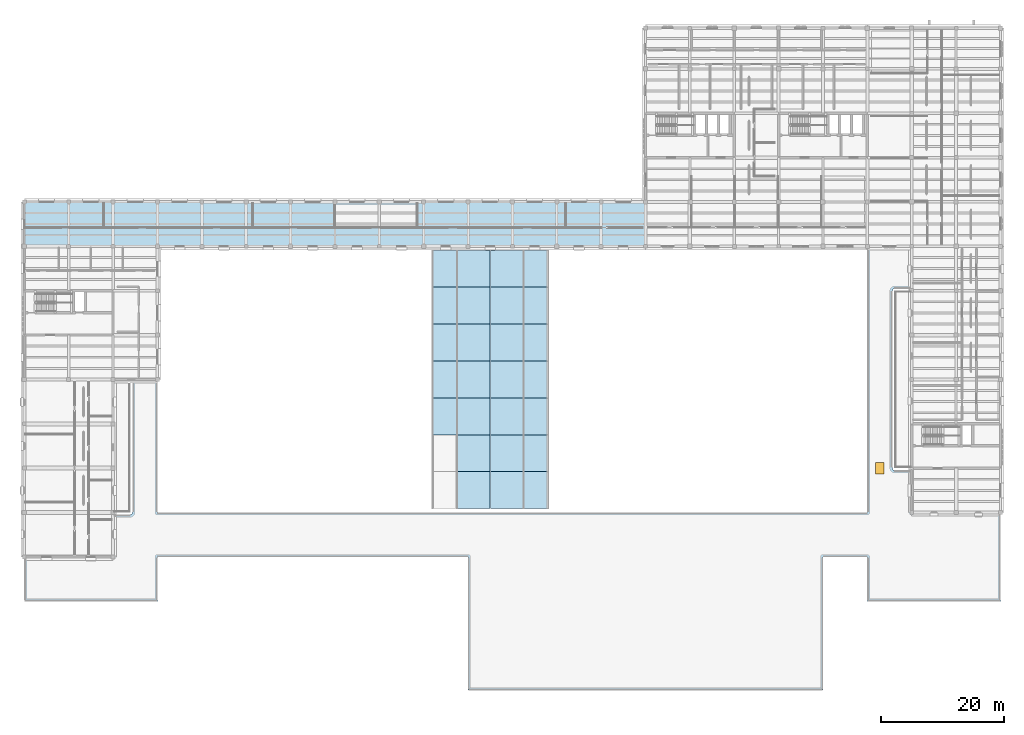
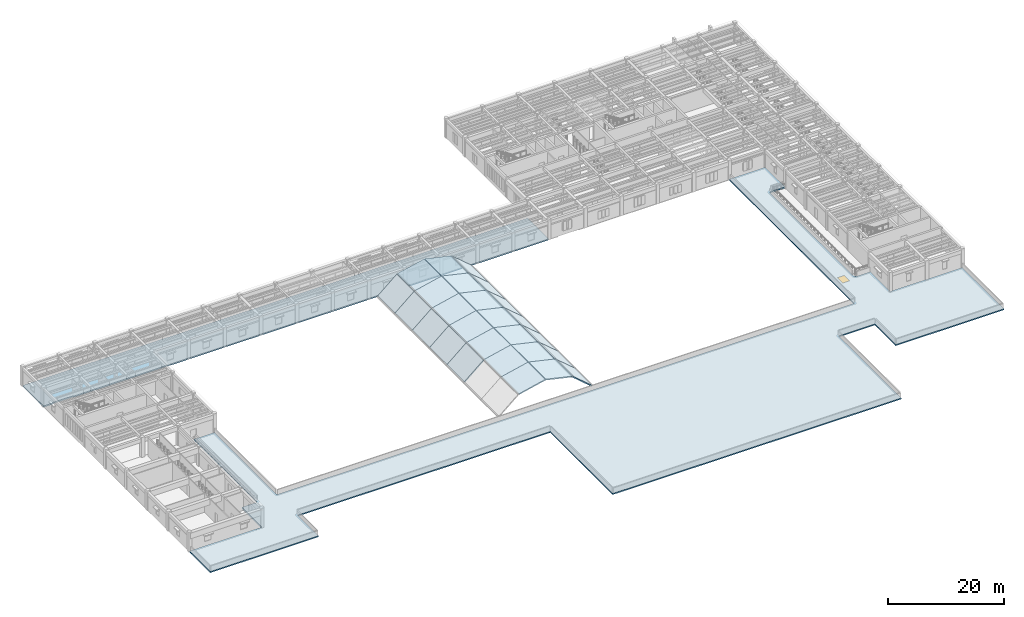
# One storey, part 14 of 40: 28 slabs, 1 window, 1 opening.
"""IFC4 building model written with IfcOpenShell, lengths in metres."""

from ifc_helpers import new_model, si_unit, direction, frame, origin, origin_2d, place, context, subcontext, project, spatial, polyline, rectangle, outline, extrude, material, layer, layer_set, type_object, element, fill, save


model = new_model("IFC4")

# Units and contexts
model_context = context("Model", 3, precision=1e-05, world=origin(), true_north=direction((0.0, 1.0)))
body_context = subcontext(model_context, "Body", "Model", "MODEL_VIEW")
ifc_project = project(units=[si_unit("LENGTHUNIT", "METRE"), si_unit("AREAUNIT", "SQUARE_METRE"), si_unit("VOLUMEUNIT", "CUBIC_METRE"), si_unit("PLANEANGLEUNIT", "RADIAN"), si_unit("MASSUNIT", "GRAM", prefix="KILO")], contexts=[model_context])

# Site, building, storey
site_placement = place(None, origin())
site = spatial("IfcSite", under=ifc_project, at=site_placement, CompositionType="ELEMENT")
building_placement = place(site_placement, origin())
building = spatial("IfcBuilding", under=site, at=building_placement, Name="Mithqara Police Headquarters", CompositionType="ELEMENT")
storey_placement = place(building_placement, frame((0.0, 0.0, 13.800048828125)))
storey = spatial("IfcBuildingStorey", under=building, at=storey_placement, Name="L03", CompositionType="ELEMENT", Elevation=13.800048828125)

# Slab
ifc_material_1 = material(Name="Concrete C40/50", Category="concrete")
ifc_layer_1 = layer(ifc_material_1, 0.260009765625, Name="Concrete C40/50")
ifc_layer_set_1 = layer_set([ifc_layer_1], Name="Concrete C40/50")
slab_type_1 = type_object("IfcSlabType", Name="FLOOR SLAB 260", PredefinedType="FLOOR", material=ifc_layer_set_1)
slab_1_placement = place(storey_placement, frame((0.0, 0.0, -0.260009765625)))
element("IfcSlab", 1, at=slab_1_placement, inside=storey, type_object=slab_type_1, Name="L03 Structural Slab L03-V5N", PredefinedType="FLOOR", context=body_context, shape_type="SweptSolid", body=[
    extrude(outline(polyline([(13.800048828125, 78.60009765625), (13.800048828125, 78.739990234375), (9.60009765625, 78.739990234375), (9.60009765625, 78.60009765625), (7.800048828125, 78.60009765625), (7.800048828125, 85.800048828125), (108.60009765625, 85.800048828125), (108.60009765625, 78.60009765625), (13.800048828125, 78.60009765625)])), origin(), (0.0, 0.0, 1.0), 0.260009765625),
])

# Slab, opening, window
ifc_layer_2 = layer(ifc_material_1, 0.25, Name="Concrete C40/50")
ifc_layer_set_2 = layer_set([ifc_layer_2], Name="Concrete C40/50")
slab_type_2 = type_object("IfcSlabType", Name="ROOF SLAB 250", PredefinedType="ROOF", material=ifc_layer_set_2)
slab_2_placement = place(storey_placement, frame((0.0, 0.0, -0.25)))
slab_2 = element("IfcSlab", 2, at=slab_2_placement, inside=storey, type_object=slab_type_2, Name="L03 Flat Insulated Roof over L02 Wing 1", PredefinedType="ROOF", context=body_context, shape_type="SweptSolid", body=[
    extrude(outline(polyline([(29.39990234375, 28.199951171875), (29.39990234375, 21.0), (7.800048828125, 21.0), (7.800048828125, 28.179931640625), (9.60009765625, 28.179931640625), (9.60205078125, 28.18017578125), (9.60400390625, 28.180419921875), (9.605712890625, 28.180908203125), (9.607666015625, 28.181396484375), (9.609375, 28.182373046875), (9.611083984375, 28.183349609375), (9.61279296875, 28.1845703125), (9.614013671875, 28.185791015625), (9.615478515625, 28.187255859375), (9.61669921875, 28.18896484375), (9.61767578125, 28.190673828125), (9.618408203125, 28.1923828125), (9.619140625, 28.194091796875), (9.61962890625, 28.196044921875), (9.619873046875, 28.197998046875), (9.6201171875, 28.199951171875), (13.780029296875, 28.199951171875), (13.780029296875, 28.197998046875), (13.780517578125, 28.196044921875), (13.781005859375, 28.194091796875), (13.781494140625, 28.1923828125), (13.782470703125, 28.190673828125), (13.783447265625, 28.18896484375), (13.784423828125, 28.187255859375), (13.785888671875, 28.185791015625), (13.787353515625, 28.1845703125), (13.788818359375, 28.183349609375), (13.79052734375, 28.182373046875), (13.792236328125, 28.181396484375), (13.794189453125, 28.180908203125), (13.796142578125, 28.180419921875), (13.798095703125, 28.18017578125), (13.800048828125, 28.179931640625), (22.199951171875, 28.179931640625), (22.201904296875, 28.18017578125), (22.203857421875, 28.180419921875), (22.205810546875, 28.180908203125), (22.207763671875, 28.181396484375), (22.20947265625, 28.182373046875), (22.211181640625, 28.183349609375), (22.212646484375, 28.1845703125), (22.214111328125, 28.185791015625), (22.215576171875, 28.187255859375), (22.216552734375, 28.18896484375), (22.217529296875, 28.190673828125), (22.218505859375, 28.1923828125), (22.218994140625, 28.194091796875), (22.219482421875, 28.196044921875), (22.219970703125, 28.197998046875), (22.219970703125, 28.199951171875), (22.219970703125, 35.050048828125), (25.0, 35.050048828125), (25.0341796875, 35.0517578125), (25.068359375, 35.056640625), (25.1015625, 35.065185546875), (25.1337890625, 35.07666015625), (25.1650390625, 35.09130859375), (25.1943359375, 35.10888671875), (25.221923828125, 35.12939453125), (25.24755859375, 35.152587890625), (25.2705078125, 35.177978515625), (25.291015625, 35.20556640625), (25.30859375, 35.235107421875), (25.323486328125, 35.26611328125), (25.3349609375, 35.29833984375), (25.34326171875, 35.331787109375), (25.348388671875, 35.36572265625), (25.35009765625, 35.39990234375), (25.35009765625, 56.97998046875), (29.39990234375, 56.97998046875), (29.39990234375, 35.39990234375), (144.60009765625, 35.39990234375), (144.60009765625, 78.580078125), (146.39990234375, 78.580078125), (146.402099609375, 78.580078125), (146.40380859375, 78.580322265625), (146.40576171875, 78.580810546875), (146.40771484375, 78.58154296875), (146.409423828125, 78.58251953125), (146.4111328125, 78.58349609375), (146.41259765625, 78.58447265625), (146.4140625, 78.5859375), (146.41552734375, 78.58740234375), (146.41650390625, 78.5888671875), (146.41748046875, 78.590576171875), (146.41845703125, 78.59228515625), (146.419189453125, 78.59423828125), (146.419677734375, 78.59619140625), (146.419921875, 78.597900390625), (146.419921875, 78.60009765625), (150.580078125, 78.60009765625), (150.580078125, 78.597900390625), (150.580322265625, 78.59619140625), (150.580810546875, 78.59423828125), (150.58154296875, 78.59228515625), (150.58251953125, 78.590576171875), (150.58349609375, 78.5888671875), (150.58447265625, 78.58740234375), (150.5859375, 78.5859375), (150.58740234375, 78.58447265625), (150.5888671875, 78.58349609375), (150.590576171875, 78.58251953125), (150.59228515625, 78.58154296875), (150.59423828125, 78.580810546875), (150.59619140625, 78.580322265625), (150.597900390625, 78.580078125), (150.60009765625, 78.580078125), (151.780029296875, 78.580078125), (151.780029296875, 71.75), (149.0, 71.75), (148.9658203125, 71.748291015625), (148.931640625, 71.743408203125), (148.8984375, 71.73486328125), (148.8662109375, 71.723388671875), (148.8349609375, 71.708740234375), (148.8056640625, 71.69091796875), (148.778076171875, 71.670654296875), (148.75244140625, 71.6474609375), (148.7294921875, 71.6220703125), (148.708984375, 71.594482421875), (148.69140625, 71.56494140625), (148.676513671875, 71.533935546875), (148.6650390625, 71.501708984375), (148.65673828125, 71.46826171875), (148.651611328125, 71.434326171875), (148.64990234375, 71.39990234375), (148.64990234375, 42.60009765625), (148.651611328125, 42.565673828125), (148.65673828125, 42.53173828125), (148.6650390625, 42.498291015625), (148.676513671875, 42.466064453125), (148.69140625, 42.43505859375), (148.708984375, 42.405517578125), (148.7294921875, 42.3779296875), (148.75244140625, 42.3525390625), (148.778076171875, 42.329345703125), (148.8056640625, 42.30908203125), (148.8349609375, 42.291259765625), (148.8662109375, 42.276611328125), (148.8984375, 42.26513671875), (148.931640625, 42.256591796875), (148.9658203125, 42.251708984375), (149.0, 42.25), (151.780029296875, 42.25), (151.780029296875, 35.39990234375), (151.780029296875, 35.39794921875), (151.780517578125, 35.39599609375), (151.781005859375, 35.394287109375), (151.781494140625, 35.392333984375), (151.782470703125, 35.390625), (151.783447265625, 35.388916015625), (151.784423828125, 35.38720703125), (151.785888671875, 35.385986328125), (151.787353515625, 35.384521484375), (151.788818359375, 35.38330078125), (151.79052734375, 35.38232421875), (151.792236328125, 35.381591796875), (151.794189453125, 35.380859375), (151.796142578125, 35.38037109375), (151.798095703125, 35.380126953125), (151.800048828125, 35.3798828125), (153.60009765625, 35.3798828125), (153.60205078125, 35.380126953125), (153.60400390625, 35.38037109375), (153.605712890625, 35.380859375), (153.607666015625, 35.381591796875), (153.609375, 35.38232421875), (153.611083984375, 35.38330078125), (153.61279296875, 35.384521484375), (153.614013671875, 35.385986328125), (153.615478515625, 35.38720703125), (153.61669921875, 35.388916015625), (153.61767578125, 35.390625), (153.618408203125, 35.392333984375), (153.619140625, 35.394287109375), (153.61962890625, 35.39599609375), (153.619873046875, 35.39794921875), (153.6201171875, 35.39990234375), (157.780029296875, 35.39990234375), (157.780029296875, 35.39794921875), (157.780517578125, 35.39599609375), (157.781005859375, 35.394287109375), (157.781494140625, 35.392333984375), (157.782470703125, 35.390625), (157.783447265625, 35.388916015625), (157.784423828125, 35.38720703125), (157.785888671875, 35.385986328125), (157.787353515625, 35.384521484375), (157.788818359375, 35.38330078125), (157.79052734375, 35.38232421875), (157.792236328125, 35.381591796875), (157.794189453125, 35.380859375), (157.796142578125, 35.38037109375), (157.798095703125, 35.380126953125), (157.800048828125, 35.3798828125), (166.199951171875, 35.3798828125), (166.199951171875, 21.0), (144.60009765625, 21.0), (144.60009765625, 28.199951171875), (137.39990234375, 28.199951171875), (137.39990234375, 6.60009765625), (79.800048828125, 6.60009765625), (79.800048828125, 28.199951171875), (29.39990234375, 28.199951171875)]), holes=[polyline([(145.925048828125, 41.68310546875), (147.324951171875, 41.68310546875), (147.324951171875, 43.48291015625), (145.925048828125, 43.48291015625), (145.925048828125, 41.68310546875)])]), origin(), (0.0, 0.0, 1.0), 0.25),
])
opening_placement = place(slab_2_placement, frame((146.625, 42.5830078125, -0.010009765625)))
opening = element("IfcOpeningElement", 3, at=opening_placement, cuts=slab_2, Name="Opening SK-02", PredefinedType="OPENING", context=body_context, shape_type="SweptSolid", body=[
    extrude(rectangle(XDim=1.39990234375, YDim=1.800048828125, at=origin_2d()), origin(), (0.0, 0.0, 1.0), 0.27001953125),
])
ifc_material_2 = material(Name="Spectrally selective double low-e glass", Category="glass")
window_type = type_object("IfcWindowType", Name="SKYLIGHT 1400X1800", PartitioningType="SINGLE_PANEL", PredefinedType="SKYLIGHT", material=ifc_material_2)
window_placement = place(opening_placement, frame((0.0, 0.0, 0.2099609375)))
window = element("IfcWindow", 4, at=window_placement, inside=storey, type_object=window_type, Name="L03 Roof Daylight Skylight and Access Hatch 6", OverallHeight=1.800048828125, OverallWidth=1.39990234375, PartitioningType="SINGLE_PANEL", PredefinedType="SKYLIGHT", context=body_context, shape_type="SweptSolid", body=[
    extrude(rectangle(XDim=1.39990234375, YDim=1.800048828125, at=origin_2d()), origin(), (0.0, 0.0, 1.0), 0.050048828125),
])
fill(opening, window)

# Slabs
ifc_layer_3 = layer(ifc_material_1, 0.219970703125, Name="Concrete C40/50")
ifc_layer_set_3 = layer_set([ifc_layer_3], Name="Concrete C40/50")
slab_type_3 = type_object("IfcSlabType", Name="VAULT SHELL 220", PredefinedType="ROOF", material=ifc_layer_set_3)
for number, where, z_axis, x_axis, name in (
    (5, (78.06640625, 36.052978515625, 3.782470703125), (-0.222548724281, 0.0, 0.974921568805), (0.974921568805, 0.0, 0.222548724281), "Public Entrance Hall Barrel Vault Shell Strip Bay 1 Facet 3"),
    (6, (83.46630859375, 36.052978515625, 4.98486328125), (0.222548724281, 0.0, 0.974921568805), (0.974921568805, 0.0, -0.222548724281), "Public Entrance Hall Barrel Vault Shell Strip Bay 1 Facet 4"),
):
    element("IfcSlab", number, at=place(storey_placement, frame(where, z_axis=z_axis, x_axis=x_axis)), inside=storey, type_object=slab_type_3, Name=name, PredefinedType="ROOF", context=body_context, shape_type="SweptSolid", body=[
        extrude(outline(polyline([(0.0, 0.0), (5.4028284458126095, 0.0), (5.4028284458126095, 5.979736328125001), (0.0, 5.979736328125001), (0.0, 0.0)])), origin(), (0.0, 0.0, -1.0), 0.219970703125),
    ])
slab_3_placement = place(storey_placement, frame((88.851806640625, 36.052978515625, 3.72314453125), z_axis=(0.648438477764, 0.0, 0.761267062571), x_axis=(0.761267062571, 0.0, -0.648438477764)))
element("IfcSlab", 7, at=slab_3_placement, inside=storey, type_object=slab_type_3, Name="Public Entrance Hall Barrel Vault Shell Strip Bay 1 Facet 5", PredefinedType="ROOF", context=body_context, shape_type="SweptSolid", body=[
    extrude(outline(polyline([(0.0, 0.0), (5.056844784537099, 0.0), (5.056844784537099, 5.979736328125), (0.0, 5.979736328125), (0.0, 0.0)])), origin(), (0.0, 0.0, -1.0), 0.219970703125),
])
for number, where, z_axis, x_axis, name in (
    (8, (78.06640625, 42.038818359375, 3.782470703125), (-0.222548724281, 0.0, 0.974921568805), (0.974921568805, 0.0, 0.222548724281), "Public Entrance Hall Barrel Vault Shell Strip Bay 2 Facet 3"),
    (9, (83.46630859375, 42.038818359375, 4.98486328125), (0.222548724281, 0.0, 0.974921568805), (0.974921568805, 0.0, -0.222548724281), "Public Entrance Hall Barrel Vault Shell Strip Bay 2 Facet 4"),
):
    element("IfcSlab", number, at=place(storey_placement, frame(where, z_axis=z_axis, x_axis=x_axis)), inside=storey, type_object=slab_type_3, Name=name, PredefinedType="ROOF", context=body_context, shape_type="SweptSolid", body=[
        extrude(outline(polyline([(0.0, 0.0), (5.4028284458126095, 0.0), (5.4028284458126095, 5.9794921875), (0.0, 5.9794921875), (0.0, 0.0)])), origin(), (0.0, 0.0, -1.0), 0.219970703125),
    ])
slab_4_placement = place(storey_placement, frame((88.851806640625, 42.038818359375, 3.72314453125), z_axis=(0.648438477764, 0.0, 0.761267062571), x_axis=(0.761267062571, 0.0, -0.648438477764)))
element("IfcSlab", 10, at=slab_4_placement, inside=storey, type_object=slab_type_3, Name="Public Entrance Hall Barrel Vault Shell Strip Bay 2 Facet 5", PredefinedType="ROOF", context=body_context, shape_type="SweptSolid", body=[
    extrude(outline(polyline([(0.0, 0.0), (5.056844784537099, 0.0), (5.056844784537099, 5.979492187500001), (0.0, 5.979492187500001), (0.0, 0.0)])), origin(), (0.0, 0.0, -1.0), 0.219970703125),
])
slab_5_placement = place(storey_placement, frame((74.0986328125, 48.0244140625, 0.444091796875), z_axis=(-0.648438477764, 0.0, 0.761267062571), x_axis=(0.761267062571, 0.0, 0.648438477764)))
element("IfcSlab", 11, at=slab_5_placement, inside=storey, type_object=slab_type_3, Name="Public Entrance Hall Barrel Vault Shell Strip Bay 3 Facet 2", PredefinedType="ROOF", context=body_context, shape_type="SweptSolid", body=[
    extrude(outline(polyline([(0.0, 0.0), (5.056844784537099, 0.0), (5.056844784537099, 5.979736328125), (0.0, 5.979736328125), (0.0, 0.0)])), origin(), (0.0, 0.0, -1.0), 0.219970703125),
])
for number, where, z_axis, x_axis, name in (
    (12, (78.06640625, 48.0244140625, 3.782470703125), (-0.222548724281, 0.0, 0.974921568805), (0.974921568805, 0.0, 0.222548724281), "Public Entrance Hall Barrel Vault Shell Strip Bay 3 Facet 3"),
    (13, (83.46630859375, 48.0244140625, 4.98486328125), (0.222548724281, 0.0, 0.974921568805), (0.974921568805, 0.0, -0.222548724281), "Public Entrance Hall Barrel Vault Shell Strip Bay 3 Facet 4"),
):
    element("IfcSlab", number, at=place(storey_placement, frame(where, z_axis=z_axis, x_axis=x_axis)), inside=storey, type_object=slab_type_3, Name=name, PredefinedType="ROOF", context=body_context, shape_type="SweptSolid", body=[
        extrude(outline(polyline([(0.0, 0.0), (5.4028284458126095, 0.0), (5.4028284458126095, 5.979736328125001), (0.0, 5.979736328125001), (0.0, 0.0)])), origin(), (0.0, 0.0, -1.0), 0.219970703125),
    ])
slab_6_placement = place(storey_placement, frame((88.851806640625, 48.0244140625, 3.72314453125), z_axis=(0.648438477764, 0.0, 0.761267062571), x_axis=(0.761267062571, 0.0, -0.648438477764)))
element("IfcSlab", 14, at=slab_6_placement, inside=storey, type_object=slab_type_3, Name="Public Entrance Hall Barrel Vault Shell Strip Bay 3 Facet 5", PredefinedType="ROOF", context=body_context, shape_type="SweptSolid", body=[
    extrude(outline(polyline([(0.0, 0.0), (5.056844784537099, 0.0), (5.056844784537099, 5.979736328125), (0.0, 5.979736328125), (0.0, 0.0)])), origin(), (0.0, 0.0, -1.0), 0.219970703125),
])
slab_7_placement = place(storey_placement, frame((74.0986328125, 54.010009765625, 0.444091796875), z_axis=(-0.648438477764, 0.0, 0.761267062571), x_axis=(0.761267062571, 0.0, 0.648438477764)))
element("IfcSlab", 15, at=slab_7_placement, inside=storey, type_object=slab_type_3, Name="Public Entrance Hall Barrel Vault Shell Strip Bay 4 Facet 2", PredefinedType="ROOF", context=body_context, shape_type="SweptSolid", body=[
    extrude(outline(polyline([(0.0, 0.0), (5.056844784537099, 0.0), (5.056844784537099, 5.979980468750001), (0.0, 5.979980468750001), (0.0, 0.0)])), origin(), (0.0, 0.0, -1.0), 0.219970703125),
])
for number, where, z_axis, x_axis, name in (
    (16, (78.06640625, 54.010009765625, 3.782470703125), (-0.222548724281, 0.0, 0.974921568805), (0.974921568805, 0.0, 0.222548724281), "Public Entrance Hall Barrel Vault Shell Strip Bay 4 Facet 3"),
    (17, (83.46630859375, 54.010009765625, 4.98486328125), (0.222548724281, 0.0, 0.974921568805), (0.974921568805, 0.0, -0.222548724281), "Public Entrance Hall Barrel Vault Shell Strip Bay 4 Facet 4"),
):
    element("IfcSlab", number, at=place(storey_placement, frame(where, z_axis=z_axis, x_axis=x_axis)), inside=storey, type_object=slab_type_3, Name=name, PredefinedType="ROOF", context=body_context, shape_type="SweptSolid", body=[
        extrude(outline(polyline([(0.0, 0.0), (5.4028284458126095, 0.0), (5.4028284458126095, 5.979980468749999), (0.0, 5.979980468749999), (0.0, 0.0)])), origin(), (0.0, 0.0, -1.0), 0.219970703125),
    ])
slab_8_placement = place(storey_placement, frame((88.851806640625, 54.010009765625, 3.72314453125), z_axis=(0.648438477764, 0.0, 0.761267062571), x_axis=(0.761267062571, 0.0, -0.648438477764)))
element("IfcSlab", 18, at=slab_8_placement, inside=storey, type_object=slab_type_3, Name="Public Entrance Hall Barrel Vault Shell Strip Bay 4 Facet 5", PredefinedType="ROOF", context=body_context, shape_type="SweptSolid", body=[
    extrude(outline(polyline([(0.0, 0.0), (5.056844784537099, 0.0), (5.056844784537099, 5.979980468750001), (0.0, 5.979980468750001), (0.0, 0.0)])), origin(), (0.0, 0.0, -1.0), 0.219970703125),
])
slab_9_placement = place(storey_placement, frame((74.0986328125, 59.995849609375, 0.444091796875), z_axis=(-0.648438477764, 0.0, 0.761267062571), x_axis=(0.761267062571, 0.0, 0.648438477764)))
element("IfcSlab", 19, at=slab_9_placement, inside=storey, type_object=slab_type_3, Name="Public Entrance Hall Barrel Vault Shell Strip Bay 5 Facet 2", PredefinedType="ROOF", context=body_context, shape_type="SweptSolid", body=[
    extrude(outline(polyline([(0.0, 0.0), (5.056844784537099, 0.0), (5.056844784537099, 5.979736328125), (0.0, 5.979736328125), (0.0, 0.0)])), origin(), (0.0, 0.0, -1.0), 0.219970703125),
])
for number, where, z_axis, x_axis, name in (
    (20, (78.06640625, 59.995849609375, 3.782470703125), (-0.222548724281, 0.0, 0.974921568805), (0.974921568805, 0.0, 0.222548724281), "Public Entrance Hall Barrel Vault Shell Strip Bay 5 Facet 3"),
    (21, (83.46630859375, 59.995849609375, 4.98486328125), (0.222548724281, 0.0, 0.974921568805), (0.974921568805, 0.0, -0.222548724281), "Public Entrance Hall Barrel Vault Shell Strip Bay 5 Facet 4"),
):
    element("IfcSlab", number, at=place(storey_placement, frame(where, z_axis=z_axis, x_axis=x_axis)), inside=storey, type_object=slab_type_3, Name=name, PredefinedType="ROOF", context=body_context, shape_type="SweptSolid", body=[
        extrude(outline(polyline([(0.0, 0.0), (5.4028284458126095, 0.0), (5.4028284458126095, 5.979736328125001), (0.0, 5.979736328125001), (0.0, 0.0)])), origin(), (0.0, 0.0, -1.0), 0.219970703125),
    ])
slab_10_placement = place(storey_placement, frame((88.851806640625, 59.995849609375, 3.72314453125), z_axis=(0.648438477764, 0.0, 0.761267062571), x_axis=(0.761267062571, 0.0, -0.648438477764)))
element("IfcSlab", 22, at=slab_10_placement, inside=storey, type_object=slab_type_3, Name="Public Entrance Hall Barrel Vault Shell Strip Bay 5 Facet 5", PredefinedType="ROOF", context=body_context, shape_type="SweptSolid", body=[
    extrude(outline(polyline([(0.0, 0.0), (5.056844784537099, 0.0), (5.056844784537099, 5.979736328125), (0.0, 5.979736328125), (0.0, 0.0)])), origin(), (0.0, 0.0, -1.0), 0.219970703125),
])
slab_11_placement = place(storey_placement, frame((74.0986328125, 65.981689453125, 0.444091796875), z_axis=(-0.648438477764, 0.0, 0.761267062571), x_axis=(0.761267062571, 0.0, 0.648438477764)))
element("IfcSlab", 23, at=slab_11_placement, inside=storey, type_object=slab_type_3, Name="Public Entrance Hall Barrel Vault Shell Strip Bay 6 Facet 2", PredefinedType="ROOF", context=body_context, shape_type="SweptSolid", body=[
    extrude(outline(polyline([(0.0, 0.0), (5.056844784537099, 0.0), (5.056844784537099, 5.979492187500001), (0.0, 5.979492187500001), (0.0, 0.0)])), origin(), (0.0, 0.0, -1.0), 0.219970703125),
])
for number, where, z_axis, x_axis, name in (
    (24, (78.06640625, 65.981689453125, 3.782470703125), (-0.222548724281, 0.0, 0.974921568805), (0.974921568805, 0.0, 0.222548724281), "Public Entrance Hall Barrel Vault Shell Strip Bay 6 Facet 3"),
    (25, (83.46630859375, 65.981689453125, 4.98486328125), (0.222548724281, 0.0, 0.974921568805), (0.974921568805, 0.0, -0.222548724281), "Public Entrance Hall Barrel Vault Shell Strip Bay 6 Facet 4"),
):
    element("IfcSlab", number, at=place(storey_placement, frame(where, z_axis=z_axis, x_axis=x_axis)), inside=storey, type_object=slab_type_3, Name=name, PredefinedType="ROOF", context=body_context, shape_type="SweptSolid", body=[
        extrude(outline(polyline([(0.0, 0.0), (5.4028284458126095, 0.0), (5.4028284458126095, 5.9794921875), (0.0, 5.9794921875), (0.0, 0.0)])), origin(), (0.0, 0.0, -1.0), 0.219970703125),
    ])
slab_12_placement = place(storey_placement, frame((88.851806640625, 65.981689453125, 3.72314453125), z_axis=(0.648438477764, 0.0, 0.761267062571), x_axis=(0.761267062571, 0.0, -0.648438477764)))
element("IfcSlab", 26, at=slab_12_placement, inside=storey, type_object=slab_type_3, Name="Public Entrance Hall Barrel Vault Shell Strip Bay 6 Facet 5", PredefinedType="ROOF", context=body_context, shape_type="SweptSolid", body=[
    extrude(outline(polyline([(0.0, 0.0), (5.056844784537099, 0.0), (5.056844784537099, 5.979492187500001), (0.0, 5.979492187500001), (0.0, 0.0)])), origin(), (0.0, 0.0, -1.0), 0.219970703125),
])
slab_13_placement = place(storey_placement, frame((74.0986328125, 71.96728515625, 0.444091796875), z_axis=(-0.648438477764, 0.0, 0.761267062571), x_axis=(0.761267062571, 0.0, 0.648438477764)))
element("IfcSlab", 27, at=slab_13_placement, inside=storey, type_object=slab_type_3, Name="Public Entrance Hall Barrel Vault Shell Strip Bay 7 Facet 2", PredefinedType="ROOF", context=body_context, shape_type="SweptSolid", body=[
    extrude(outline(polyline([(0.0, 0.0), (5.056844784537099, 0.0), (5.056844784537099, 5.979736328125), (0.0, 5.979736328125), (0.0, 0.0)])), origin(), (0.0, 0.0, -1.0), 0.219970703125),
])
for number, where, z_axis, x_axis, name in (
    (28, (78.06640625, 71.96728515625, 3.782470703125), (-0.222548724281, 0.0, 0.974921568805), (0.974921568805, 0.0, 0.222548724281), "Public Entrance Hall Barrel Vault Shell Strip Bay 7 Facet 3"),
    (29, (83.46630859375, 71.96728515625, 4.98486328125), (0.222548724281, 0.0, 0.974921568805), (0.974921568805, 0.0, -0.222548724281), "Public Entrance Hall Barrel Vault Shell Strip Bay 7 Facet 4"),
):
    element("IfcSlab", number, at=place(storey_placement, frame(where, z_axis=z_axis, x_axis=x_axis)), inside=storey, type_object=slab_type_3, Name=name, PredefinedType="ROOF", context=body_context, shape_type="SweptSolid", body=[
        extrude(outline(polyline([(0.0, 0.0), (5.4028284458126095, 0.0), (5.4028284458126095, 5.979736328125001), (0.0, 5.979736328125001), (0.0, 0.0)])), origin(), (0.0, 0.0, -1.0), 0.219970703125),
    ])
slab_14_placement = place(storey_placement, frame((88.851806640625, 71.96728515625, 3.72314453125), z_axis=(0.648438477764, 0.0, 0.761267062571), x_axis=(0.761267062571, 0.0, -0.648438477764)))
element("IfcSlab", 30, at=slab_14_placement, inside=storey, type_object=slab_type_3, Name="Public Entrance Hall Barrel Vault Shell Strip Bay 7 Facet 5", PredefinedType="ROOF", context=body_context, shape_type="SweptSolid", body=[
    extrude(outline(polyline([(0.0, 0.0), (5.056844784537099, 0.0), (5.056844784537099, 5.979736328125), (0.0, 5.979736328125), (0.0, 0.0)])), origin(), (0.0, 0.0, -1.0), 0.219970703125),
])

save(model, "model.ifc")
